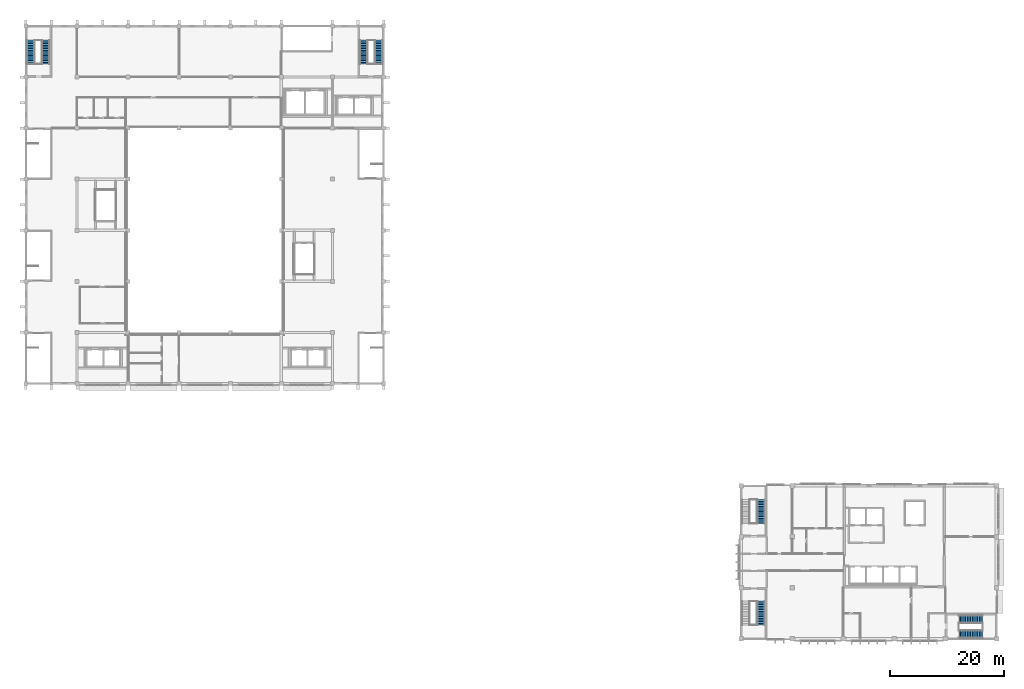
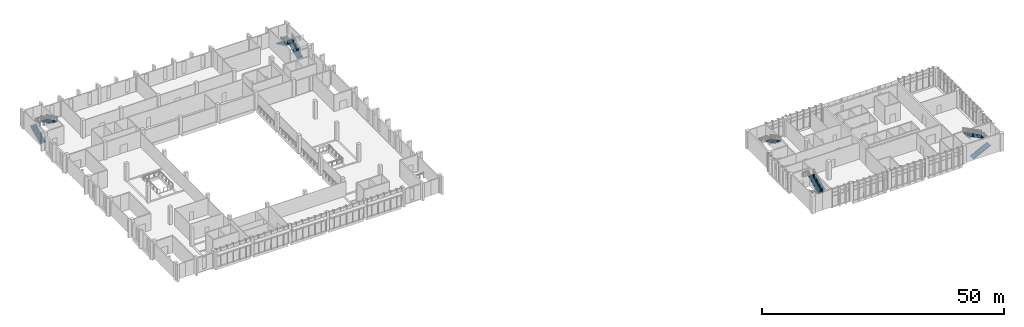
# One storey, part 31 of 40: 8 stair flights, 5 elements without a shape of their own.
"""IFC4 building model written with IfcOpenShell, lengths in metres."""

from ifc_helpers import new_model, si_unit, direction, frame, origin, place, context, subcontext, project, spatial, polyline, outline, extrude, material, type_object, element, aggregate, save


model = new_model("IFC4")

# Units and contexts
model_context = context("Model", 3, precision=1e-05, world=origin(), true_north=direction((0.0, 1.0)))
body_context = subcontext(model_context, "Body", "Model", "MODEL_VIEW")
ifc_project = project(units=[si_unit("LENGTHUNIT", "METRE"), si_unit("AREAUNIT", "SQUARE_METRE"), si_unit("VOLUMEUNIT", "CUBIC_METRE"), si_unit("PLANEANGLEUNIT", "RADIAN"), si_unit("MASSUNIT", "GRAM", prefix="KILO")], contexts=[model_context])

# Site, building, storey
site_placement = place(None, origin())
site = spatial("IfcSite", under=ifc_project, at=site_placement, CompositionType="ELEMENT")
building_placement = place(site_placement, origin())
building = spatial("IfcBuilding", under=site, at=building_placement, Name="Guidao Yard Department Store", CompositionType="ELEMENT")
storey_placement = place(building_placement, frame((0.0, 0.0, 24.0)))
storey = spatial("IfcBuildingStorey", under=building, at=storey_placement, Name="L05", CompositionType="ELEMENT", Elevation=24.0)

# Stair, stair flights
ifc_material_1 = material(Name="Concrete C35", Category="concrete")
stair_type = type_object("IfcStairType", Name="Stair half-turn two-flight 1400 wide 4.5 m rise", PredefinedType="HALF_TURN_STAIR", material=ifc_material_1)
stair_1_placement = place(storey_placement, origin())
stair_1 = element("IfcStair", 1, at=stair_1_placement, inside=storey, type_object=stair_type, Name="Stair A5 L05 to L06", PredefinedType="HALF_TURN_STAIR")
ifc_material_2 = material(Name="Concrete C35", Category="concrete")
stair_flight_type = type_object("IfcStairFlightType", Name="Stair flight RC straight 1400 wide 15 risers x 300 going C35", PredefinedType="STRAIGHT", material=ifc_material_2)
stair_flight_1_placement = place(storey_placement, frame((0.824951171875, 101.300048828125, 0.0), z_axis=(0.0, 0.0, 1.0), x_axis=(0.0, 1.0, 0.0)))
stair_flight_1 = element("IfcStairFlight", 2, at=stair_flight_1_placement, type_object=stair_flight_type, Name="SA5-L05 flight 1", NumberOfRisers=15, NumberOfTreads=14, PredefinedType="STRAIGHT", RiserHeight=0.15, TreadLength=0.3, context=body_context, shape_type="SweptSolid", body=[
    extrude(outline(polyline([(0.0, 0.0), (0.0, 0.14990234375), (0.300048828125, 0.14990234375), (0.300048828125, 0.300048828125), (0.60009765625, 0.300048828125), (0.60009765625, 0.449951171875), (0.89990234375, 0.449951171875), (0.89990234375, 0.60009765625), (1.199951171875, 0.60009765625), (1.199951171875, 0.75), (1.5, 0.75), (1.5, 0.89990234375), (1.800048828125, 0.89990234375), (1.800048828125, 1.050048828125), (2.10009765625, 1.050048828125), (2.10009765625, 1.199951171875), (2.39990234375, 1.199951171875), (2.39990234375, 1.35009765625), (2.699951171875, 1.35009765625), (2.699951171875, 1.5), (3.0, 1.5), (3.0, 1.64990234375), (3.300048828125, 1.64990234375), (3.300048828125, 1.800048828125), (3.60009765625, 1.800048828125), (3.60009765625, 1.949951171875), (3.89990234375, 1.949951171875), (3.89990234375, 2.10009765625), (4.199951171875, 2.10009765625), (4.199951171875, 2.25), (4.199951171875, 1.932373046875), (0.335205078125, 0.0), (0.0, 0.0)])), frame((0.0, 0.699951171875, 0.0), z_axis=(0.0, -1.0, 0.0), x_axis=(1.0, 0.0, 0.0)), (0.0, 0.0, 1.0), 1.39990234375),
])
stair_flight_2_placement = place(storey_placement, frame((3.5, 105.5, 2.25), z_axis=(0.0, 0.0, 1.0), x_axis=(0.0, -1.0, 0.0)))
stair_flight_2 = element("IfcStairFlight", 3, at=stair_flight_2_placement, type_object=stair_flight_type, Name="SA5-L05 flight 2", NumberOfRisers=15, NumberOfTreads=14, PredefinedType="STRAIGHT", RiserHeight=0.15, TreadLength=0.3, context=body_context, shape_type="SweptSolid", body=[
    extrude(outline(polyline([(0.0, 0.0), (0.0, 0.14990234375), (0.300048828125, 0.14990234375), (0.300048828125, 0.300048828125), (0.60009765625, 0.300048828125), (0.60009765625, 0.449951171875), (0.89990234375, 0.449951171875), (0.89990234375, 0.60009765625), (1.199951171875, 0.60009765625), (1.199951171875, 0.75), (1.5, 0.75), (1.5, 0.89990234375), (1.800048828125, 0.89990234375), (1.800048828125, 1.050048828125), (2.10009765625, 1.050048828125), (2.10009765625, 1.199951171875), (2.39990234375, 1.199951171875), (2.39990234375, 1.35009765625), (2.699951171875, 1.35009765625), (2.699951171875, 1.5), (3.0, 1.5), (3.0, 1.64990234375), (3.300048828125, 1.64990234375), (3.300048828125, 1.800048828125), (3.60009765625, 1.800048828125), (3.60009765625, 1.949951171875), (3.89990234375, 1.949951171875), (3.89990234375, 2.10009765625), (4.199951171875, 2.10009765625), (4.199951171875, 2.25), (4.199951171875, 1.932373046875), (0.335205078125, 0.0), (0.0, 0.0)])), frame((0.0, 0.699951171875, 0.0), z_axis=(0.0, -1.0, 0.0), x_axis=(1.0, 0.0, 0.0)), (0.0, 0.0, 1.0), 1.39990234375),
])
aggregate(stair_1, [stair_flight_1, stair_flight_2])

stair_2_placement = place(storey_placement, origin())
stair_2 = element("IfcStair", 4, at=stair_2_placement, inside=storey, type_object=stair_type, Name="Stair A6 L05 to L06", PredefinedType="HALF_TURN_STAIR")
stair_flight_3_placement = place(storey_placement, frame((62.175048828125, 101.300048828125, 0.0), z_axis=(0.0, 0.0, 1.0), x_axis=(0.0, 1.0, 0.0)))
stair_flight_3 = element("IfcStairFlight", 5, at=stair_flight_3_placement, type_object=stair_flight_type, Name="SA6-L05 flight 1", NumberOfRisers=15, NumberOfTreads=14, PredefinedType="STRAIGHT", RiserHeight=0.15, TreadLength=0.3, context=body_context, shape_type="SweptSolid", body=[
    extrude(outline(polyline([(0.0, 0.0), (0.0, 0.14990234375), (0.300048828125, 0.14990234375), (0.300048828125, 0.300048828125), (0.60009765625, 0.300048828125), (0.60009765625, 0.449951171875), (0.89990234375, 0.449951171875), (0.89990234375, 0.60009765625), (1.199951171875, 0.60009765625), (1.199951171875, 0.75), (1.5, 0.75), (1.5, 0.89990234375), (1.800048828125, 0.89990234375), (1.800048828125, 1.050048828125), (2.10009765625, 1.050048828125), (2.10009765625, 1.199951171875), (2.39990234375, 1.199951171875), (2.39990234375, 1.35009765625), (2.699951171875, 1.35009765625), (2.699951171875, 1.5), (3.0, 1.5), (3.0, 1.64990234375), (3.300048828125, 1.64990234375), (3.300048828125, 1.800048828125), (3.60009765625, 1.800048828125), (3.60009765625, 1.949951171875), (3.89990234375, 1.949951171875), (3.89990234375, 2.10009765625), (4.199951171875, 2.10009765625), (4.199951171875, 2.25), (4.199951171875, 1.932373046875), (0.335205078125, 0.0), (0.0, 0.0)])), frame((0.0, 0.699951171875, 0.0), z_axis=(0.0, -1.0, 0.0), x_axis=(1.0, 0.0, 0.0)), (0.0, 0.0, 1.0), 1.39990234375),
])
stair_flight_4_placement = place(storey_placement, frame((59.5, 105.5, 2.25), z_axis=(0.0, 0.0, 1.0), x_axis=(0.0, -1.0, 0.0)))
stair_flight_4 = element("IfcStairFlight", 6, at=stair_flight_4_placement, type_object=stair_flight_type, Name="SA6-L05 flight 2", NumberOfRisers=15, NumberOfTreads=14, PredefinedType="STRAIGHT", RiserHeight=0.15, TreadLength=0.3, context=body_context, shape_type="SweptSolid", body=[
    extrude(outline(polyline([(0.0, 0.0), (0.0, 0.14990234375), (0.300048828125, 0.14990234375), (0.300048828125, 0.300048828125), (0.60009765625, 0.300048828125), (0.60009765625, 0.449951171875), (0.89990234375, 0.449951171875), (0.89990234375, 0.60009765625), (1.199951171875, 0.60009765625), (1.199951171875, 0.75), (1.5, 0.75), (1.5, 0.89990234375), (1.800048828125, 0.89990234375), (1.800048828125, 1.050048828125), (2.10009765625, 1.050048828125), (2.10009765625, 1.199951171875), (2.39990234375, 1.199951171875), (2.39990234375, 1.35009765625), (2.699951171875, 1.35009765625), (2.699951171875, 1.5), (3.0, 1.5), (3.0, 1.64990234375), (3.300048828125, 1.64990234375), (3.300048828125, 1.800048828125), (3.60009765625, 1.800048828125), (3.60009765625, 1.949951171875), (3.89990234375, 1.949951171875), (3.89990234375, 2.10009765625), (4.199951171875, 2.10009765625), (4.199951171875, 2.25), (4.199951171875, 1.932373046875), (0.335205078125, 0.0), (0.0, 0.0)])), frame((0.0, 0.699951171875, 0.0), z_axis=(0.0, -1.0, 0.0), x_axis=(1.0, 0.0, 0.0)), (0.0, 0.0, 1.0), 1.39990234375),
])
aggregate(stair_2, [stair_flight_3, stair_flight_4])

# Stair, stair flight
stair_3_placement = place(storey_placement, origin())
stair_3 = element("IfcStair", 7, at=stair_3_placement, inside=storey, type_object=stair_type, Name="Stair O1 L05 to L06", PredefinedType="HALF_TURN_STAIR")
stair_flight_5_placement = place(storey_placement, frame((129.5, 2.449951171875, 2.25), z_axis=(0.0, 0.0, 1.0), x_axis=(0.0, 1.0, 0.0)))
stair_flight_5 = element("IfcStairFlight", 8, at=stair_flight_5_placement, type_object=stair_flight_type, Name="SO1-L05 flight 2", NumberOfRisers=15, NumberOfTreads=14, PredefinedType="STRAIGHT", RiserHeight=0.15, TreadLength=0.3, context=body_context, shape_type="SweptSolid", body=[
    extrude(outline(polyline([(0.0, 0.0), (0.0, 0.14990234375), (0.300048828125, 0.14990234375), (0.300048828125, 0.300048828125), (0.60009765625, 0.300048828125), (0.60009765625, 0.449951171875), (0.89990234375, 0.449951171875), (0.89990234375, 0.60009765625), (1.199951171875, 0.60009765625), (1.199951171875, 0.75), (1.5, 0.75), (1.5, 0.89990234375), (1.800048828125, 0.89990234375), (1.800048828125, 1.050048828125), (2.10009765625, 1.050048828125), (2.10009765625, 1.199951171875), (2.39990234375, 1.199951171875), (2.39990234375, 1.35009765625), (2.699951171875, 1.35009765625), (2.699951171875, 1.5), (3.0, 1.5), (3.0, 1.64990234375), (3.300048828125, 1.64990234375), (3.300048828125, 1.800048828125), (3.60009765625, 1.800048828125), (3.60009765625, 1.949951171875), (3.89990234375, 1.949951171875), (3.89990234375, 2.10009765625), (4.199951171875, 2.10009765625), (4.199951171875, 2.25), (4.199951171875, 1.932373046875), (0.335205078125, 0.0), (0.0, 0.0)])), frame((0.0, 0.699951171875, 0.0), z_axis=(0.0, -1.0, 0.0), x_axis=(1.0, 0.0, 0.0)), (0.0, 0.0, 1.0), 1.39990234375),
])
aggregate(stair_3, [stair_flight_5])

# Stair, stair flights
stair_4_placement = place(storey_placement, origin())
stair_4 = element("IfcStair", 9, at=stair_4_placement, inside=storey, type_object=stair_type, Name="Stair O2 L05 to L06", PredefinedType="HALF_TURN_STAIR")
stair_flight_6_placement = place(storey_placement, frame((164.35009765625, 0.824951171875, 0.0), z_axis=(0.0, 0.0, 1.0), x_axis=(1.0, 0.0, 0.0)))
stair_flight_6 = element("IfcStairFlight", 10, at=stair_flight_6_placement, type_object=stair_flight_type, Name="SO2-L05 flight 1", NumberOfRisers=15, NumberOfTreads=14, PredefinedType="STRAIGHT", RiserHeight=0.15, TreadLength=0.3, context=body_context, shape_type="SweptSolid", body=[
    extrude(outline(polyline([(0.0, 0.0), (0.0, 0.14990234375), (0.300048828125, 0.14990234375), (0.300048828125, 0.300048828125), (0.60009765625, 0.300048828125), (0.60009765625, 0.449951171875), (0.89990234375, 0.449951171875), (0.89990234375, 0.60009765625), (1.199951171875, 0.60009765625), (1.199951171875, 0.75), (1.5, 0.75), (1.5, 0.89990234375), (1.800048828125, 0.89990234375), (1.800048828125, 1.050048828125), (2.10009765625, 1.050048828125), (2.10009765625, 1.199951171875), (2.39990234375, 1.199951171875), (2.39990234375, 1.35009765625), (2.699951171875, 1.35009765625), (2.699951171875, 1.5), (3.0, 1.5), (3.0, 1.64990234375), (3.300048828125, 1.64990234375), (3.300048828125, 1.800048828125), (3.60009765625, 1.800048828125), (3.60009765625, 1.949951171875), (3.89990234375, 1.949951171875), (3.89990234375, 2.10009765625), (4.199951171875, 2.10009765625), (4.199951171875, 2.25), (4.199951171875, 1.932373046875), (0.335205078125, 0.0), (0.0, 0.0)])), frame((0.0, 0.699951171875, 0.0), z_axis=(0.0, -1.0, 0.0), x_axis=(1.0, 0.0, 0.0)), (0.0, 0.0, 1.0), 1.39990234375),
])
stair_flight_7_placement = place(storey_placement, frame((168.550048828125, 3.5, 2.25), z_axis=(0.0, 0.0, 1.0), x_axis=(-1.0, 0.0, 0.0)))
stair_flight_7 = element("IfcStairFlight", 11, at=stair_flight_7_placement, type_object=stair_flight_type, Name="SO2-L05 flight 2", NumberOfRisers=15, NumberOfTreads=14, PredefinedType="STRAIGHT", RiserHeight=0.15, TreadLength=0.3, context=body_context, shape_type="SweptSolid", body=[
    extrude(outline(polyline([(0.0, 0.0), (0.0, 0.14990234375), (0.300048828125, 0.14990234375), (0.300048828125, 0.300048828125), (0.60009765625, 0.300048828125), (0.60009765625, 0.449951171875), (0.89990234375, 0.449951171875), (0.89990234375, 0.60009765625), (1.199951171875, 0.60009765625), (1.199951171875, 0.75), (1.5, 0.75), (1.5, 0.89990234375), (1.800048828125, 0.89990234375), (1.800048828125, 1.050048828125), (2.10009765625, 1.050048828125), (2.10009765625, 1.199951171875), (2.39990234375, 1.199951171875), (2.39990234375, 1.35009765625), (2.699951171875, 1.35009765625), (2.699951171875, 1.5), (3.0, 1.5), (3.0, 1.64990234375), (3.300048828125, 1.64990234375), (3.300048828125, 1.800048828125), (3.60009765625, 1.800048828125), (3.60009765625, 1.949951171875), (3.89990234375, 1.949951171875), (3.89990234375, 2.10009765625), (4.199951171875, 2.10009765625), (4.199951171875, 2.25), (4.199951171875, 1.932373046875), (0.335205078125, 0.0), (0.0, 0.0)])), frame((0.0, 0.699951171875, 0.0), z_axis=(0.0, -1.0, 0.0), x_axis=(1.0, 0.0, 0.0)), (0.0, 0.0, 1.0), 1.39990234375),
])
aggregate(stair_4, [stair_flight_6, stair_flight_7])

# Stair, stair flight
stair_5_placement = place(storey_placement, origin())
stair_5 = element("IfcStair", 12, at=stair_5_placement, inside=storey, type_object=stair_type, Name="Stair O3 L05 to L06", PredefinedType="HALF_TURN_STAIR")
stair_flight_8_placement = place(storey_placement, frame((129.5, 24.550048828125, 2.25), z_axis=(0.0, 0.0, 1.0), x_axis=(0.0, -1.0, 0.0)))
stair_flight_8 = element("IfcStairFlight", 13, at=stair_flight_8_placement, type_object=stair_flight_type, Name="SO3-L05 flight 2", NumberOfRisers=15, NumberOfTreads=14, PredefinedType="STRAIGHT", RiserHeight=0.15, TreadLength=0.3, context=body_context, shape_type="SweptSolid", body=[
    extrude(outline(polyline([(0.0, 0.0), (0.0, 0.14990234375), (0.300048828125, 0.14990234375), (0.300048828125, 0.300048828125), (0.60009765625, 0.300048828125), (0.60009765625, 0.449951171875), (0.89990234375, 0.449951171875), (0.89990234375, 0.60009765625), (1.199951171875, 0.60009765625), (1.199951171875, 0.75), (1.5, 0.75), (1.5, 0.89990234375), (1.800048828125, 0.89990234375), (1.800048828125, 1.050048828125), (2.10009765625, 1.050048828125), (2.10009765625, 1.199951171875), (2.39990234375, 1.199951171875), (2.39990234375, 1.35009765625), (2.699951171875, 1.35009765625), (2.699951171875, 1.5), (3.0, 1.5), (3.0, 1.64990234375), (3.300048828125, 1.64990234375), (3.300048828125, 1.800048828125), (3.60009765625, 1.800048828125), (3.60009765625, 1.949951171875), (3.89990234375, 1.949951171875), (3.89990234375, 2.10009765625), (4.199951171875, 2.10009765625), (4.199951171875, 2.25), (4.199951171875, 1.932373046875), (0.335205078125, 0.0), (0.0, 0.0)])), frame((0.0, 0.699951171875, 0.0), z_axis=(0.0, -1.0, 0.0), x_axis=(1.0, 0.0, 0.0)), (0.0, 0.0, 1.0), 1.39990234375),
])
aggregate(stair_5, [stair_flight_8])

save(model, "model.ifc")
